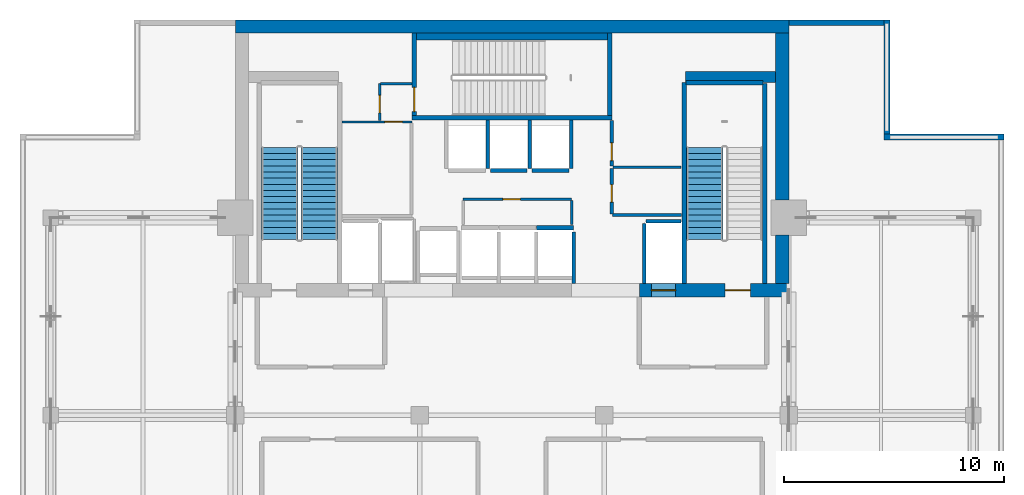
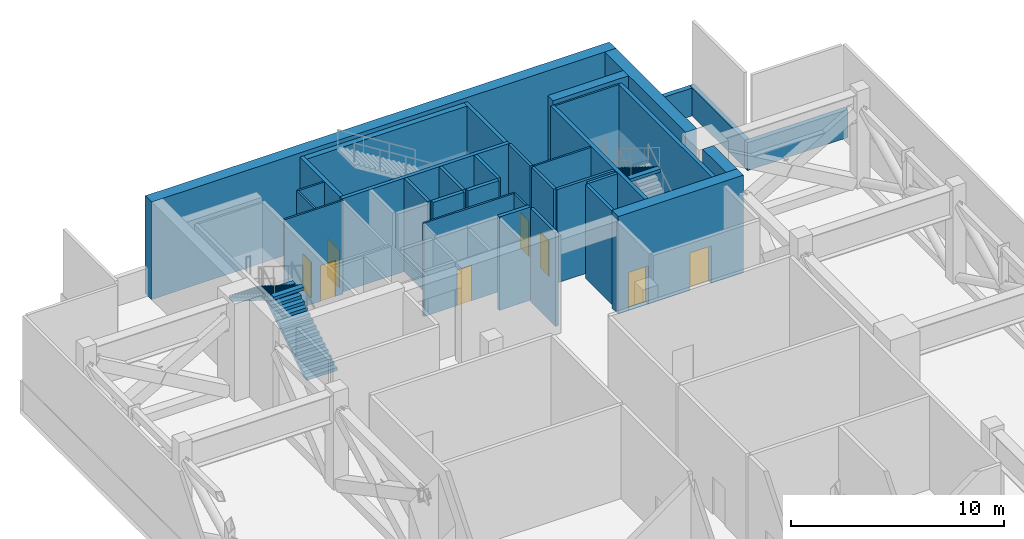
# One storey, part 7 of 11: 33 walls, 8 doors, 3 stair flights, 8 openings, 2 elements without a shape of their own.
"""IFC4 building model written with IfcOpenShell, lengths in metres."""

from ifc_helpers import new_model, si_unit, direction, frame, frame_2d, origin, place, context, subcontext, project, spatial, polyline, rectangle, outline, extrude, material, layer, layer_set, type_object, element, fill, aggregate, save


model = new_model("IFC4")

# Units and contexts
model_context = context("Model", 3, precision=1e-05, world=origin(), true_north=direction((0.0, 1.0)))
body_context = subcontext(model_context, "Body", "Model", "MODEL_VIEW")
ifc_project = project(units=[si_unit("LENGTHUNIT", "METRE"), si_unit("AREAUNIT", "SQUARE_METRE"), si_unit("VOLUMEUNIT", "CUBIC_METRE"), si_unit("PLANEANGLEUNIT", "RADIAN"), si_unit("MASSUNIT", "GRAM", prefix="KILO")], contexts=[model_context])

# Site, building, storey
site_placement = place(None, origin())
site = spatial("IfcSite", under=ifc_project, at=site_placement, CompositionType="ELEMENT")
building_placement = place(site_placement, origin())
building = spatial("IfcBuilding", under=site, at=building_placement, Name="Maruvema Waterfront Hotel and Observation Tower", CompositionType="ELEMENT")
storey_placement = place(building_placement, frame((0.0, 0.0, 316.39990234375)))
storey = spatial("IfcBuildingStorey", under=building, at=storey_placement, Name="L78", CompositionType="ELEMENT", Elevation=316.39990234375)

# Wall, opening, door
ifc_material_1 = material(Name="Twin-stud acoustic gypsum drywall", Category="gypsum")
ifc_layer_1 = layer(ifc_material_1, 0.14990234375, Name="Acoustic Corridor and Suite Demising Wall 150 mm")
ifc_layer_set_1 = layer_set([ifc_layer_1], Name="Twin-stud acoustic gypsum drywall")
wall_type_1 = type_object("IfcWallType", Name="Acoustic Corridor and Suite Demising Wall 150 mm", PredefinedType="PARTITIONING", material=ifc_layer_set_1)
wall_1_placement = place(storey_placement, frame((42.340087890625, 45.159912109375, 0.0), z_axis=(0.0, 0.0, 1.0), x_axis=(0.0, 1.0, 0.0)))
wall_1 = element("IfcWall", 1, at=wall_1_placement, inside=storey, type_object=wall_type_1, Name="L78 Freed B2 West S 018", PredefinedType="PARTITIONING", context=body_context, shape_type="SweptSolid", body=[
    extrude(rectangle(XDim=2.080078125, YDim=0.14990234375, at=frame_2d((1.0400390625, 0.0))), origin(), (0.0, 0.0, 1.0), 5.360107421875),
])
opening_1_placement = place(wall_1_placement, frame((0.550048828125, 0.0, 0.0)))
opening_1 = element("IfcOpeningElement", 2, at=opening_1_placement, cuts=wall_1, Name="Opening DR-080", PredefinedType="OPENING", context=body_context, shape_type="SweptSolid", body=[
    extrude(rectangle(XDim=0.800048828125, YDim=2.050048828125, at=frame_2d((0.39990234375, 1.02490234375))), frame((0.0, 0.0849609375, 0.0), z_axis=(0.0, -1.0, 0.0), x_axis=(1.0, 0.0, 0.0)), (0.0, 0.0, 1.0), 0.169921875),
])
ifc_material_2 = material(Name="Powder-coated steel access leaf", Category="steel")
door_type_1 = type_object("IfcDoorType", Name="Riser and Service Cupboard Door 800x2050 mm", OperationType="NOTDEFINED", PredefinedType="DOOR", material=ifc_material_2)
door_1_placement = place(opening_1_placement, frame((0.800048828125, 0.0, 0.0), z_axis=(0.0, 0.0, 1.0), x_axis=(-1.0, 0.0, 0.0)))
door_1 = element("IfcDoor", 3, at=door_1_placement, inside=storey, type_object=door_type_1, Name="L78 Plant Comms Store Door", OperationType="SINGLE_SWING_RIGHT", OverallHeight=2.050048828125, OverallWidth=0.800048828125, PredefinedType="DOOR", context=body_context, shape_type="SweptSolid", body=[
    extrude(rectangle(XDim=0.800048828125, YDim=2.050048828125, at=frame_2d((0.39990234375, 1.02490234375))), frame((0.0, 0.02490234375, 0.0), z_axis=(0.0, -1.0, 0.0), x_axis=(1.0, 0.0, 0.0)), (0.0, 0.0, 1.0), 0.050048828125),
])
fill(opening_1, door_1)

wall_2_placement = place(storey_placement, frame((42.340087890625, 47.360107421875, 0.0), z_axis=(0.0, 0.0, 1.0), x_axis=(0.0, 1.0, 0.0)))
wall_2 = element("IfcWall", 4, at=wall_2_placement, inside=storey, type_object=wall_type_1, Name="L78 Freed B2 West N 019", PredefinedType="PARTITIONING", context=body_context, shape_type="SweptSolid", body=[
    extrude(rectangle(XDim=2.059814453125, YDim=0.14990234375, at=frame_2d((1.02978515625, 0.0))), origin(), (0.0, 0.0, 1.0), 5.360107421875),
])
opening_2_placement = place(wall_2_placement, frame((0.239990234375, 0.0, 0.0)))
opening_2 = element("IfcOpeningElement", 5, at=opening_2_placement, cuts=wall_2, Name="Opening DR-080", PredefinedType="OPENING", context=body_context, shape_type="SweptSolid", body=[
    extrude(rectangle(XDim=0.800048828125, YDim=2.050048828125, at=frame_2d((0.39990234375, 1.02490234375))), frame((0.0, 0.0849609375, 0.0), z_axis=(0.0, -1.0, 0.0), x_axis=(1.0, 0.0, 0.0)), (0.0, 0.0, 1.0), 0.169921875),
])
door_2_placement = place(opening_2_placement, frame((0.800048828125, 0.0, 0.0), z_axis=(0.0, 0.0, 1.0), x_axis=(-1.0, 0.0, 0.0)))
door_2 = element("IfcDoor", 6, at=door_2_placement, inside=storey, type_object=door_type_1, Name="L78 Plant Meter Closet East Door", OperationType="SINGLE_SWING_LEFT", OverallHeight=2.050048828125, OverallWidth=0.800048828125, PredefinedType="DOOR", context=body_context, shape_type="SweptSolid", body=[
    extrude(rectangle(XDim=0.800048828125, YDim=2.050048828125, at=frame_2d((0.39990234375, 1.02490234375))), frame((0.0, 0.02490234375, 0.0), z_axis=(0.0, -1.0, 0.0), x_axis=(1.0, 0.0, 0.0)), (0.0, 0.0, 1.0), 0.050048828125),
])
fill(opening_2, door_2)

# Walls
wall_3_placement = place(storey_placement, frame((42.3798828125, 45.1201171875, 0.0), z_axis=(0.0, 0.0, 1.0), x_axis=(1.0, 0.0, 0.0)))
element("IfcWall", 7, at=wall_3_placement, inside=storey, type_object=wall_type_1, Name="L78 Freed B2 South Wall 021", PredefinedType="PARTITIONING", context=body_context, shape_type="SweptSolid", body=[
    extrude(rectangle(XDim=3.14013671875, YDim=0.14990234375, at=frame_2d((1.570068359375, 0.0))), origin(), (0.0, 0.0, 1.0), 5.360107421875),
])
ifc_material_3 = material(Name="Precast concrete C45/55", Category="concrete")
ifc_layer_2 = layer(ifc_material_3, 0.300048828125, Name="Core Shaft Furring Wall 300 mm")
ifc_layer_set_2 = layer_set([ifc_layer_2], Name="Precast concrete C45/55")
wall_type_2 = type_object("IfcWallType", Name="Core Shaft Furring Wall 300 mm", PredefinedType="SOLIDWALL", material=ifc_layer_set_2)
wall_4_placement = place(storey_placement, frame((33.449951171875, 53.25, 0.0), z_axis=(0.0, 0.0, 1.0), x_axis=(1.0, 0.0, 0.0)))
element("IfcWall", 8, at=wall_4_placement, inside=storey, type_object=wall_type_2, Name="L78 Stairwell ST-02 North Furring Wall", PredefinedType="SOLIDWALL", context=body_context, shape_type="SweptSolid", body=[
    extrude(rectangle(XDim=8.699951171875, YDim=0.300048828125, at=frame_2d((4.35009765625, 0.0))), origin(), (0.0, 0.0, 1.0), 5.360107421875),
])
ifc_material_4 = material(Name="Precast concrete C45/55", Category="concrete")
ifc_layer_3 = layer(ifc_material_4, 0.199951171875, Name="Core Shaft and Stairwell Enclosure Wall 200 mm")
ifc_layer_set_3 = layer_set([ifc_layer_3], Name="Precast concrete C45/55")
wall_type_3 = type_object("IfcWallType", Name="Core Shaft and Stairwell Enclosure Wall 200 mm", PredefinedType="SOLIDWALL", material=ifc_layer_set_3)
wall_5_placement = place(storey_placement, frame((33.25, 49.550048828125, 0.0), z_axis=(0.0, 0.0, 1.0), x_axis=(1.0, 0.0, 0.0)))
element("IfcWall", 9, at=wall_5_placement, inside=storey, type_object=wall_type_3, Name="L78 Stairwell ST-02 Shaft Wall", PredefinedType="SOLIDWALL", context=body_context, shape_type="SweptSolid", body=[
    extrude(rectangle(XDim=9.10009765625, YDim=0.199951171875, at=frame_2d((4.550048828125, 0.0))), origin(), (0.0, 0.0, 1.0), 5.360107421875),
])
wall_6_placement = place(storey_placement, frame((42.25, 49.64990234375, 0.0), z_axis=(0.0, 0.0, 1.0), x_axis=(0.0, 1.0, 0.0)))
element("IfcWall", 10, at=wall_6_placement, inside=storey, type_object=wall_type_3, Name="L78 Stairwell ST-02 Shaft Wall", PredefinedType="SOLIDWALL", context=body_context, shape_type="SweptSolid", body=[
    extrude(rectangle(XDim=3.75, YDim=0.199951171875, at=frame_2d((1.875, 0.0))), origin(), (0.0, 0.0, 1.0), 5.360107421875),
])

# Wall, opening, door
wall_7_placement = place(storey_placement, frame((33.35009765625, 49.64990234375, 0.0), z_axis=(0.0, 0.0, 1.0), x_axis=(0.0, 1.0, 0.0)))
wall_7 = element("IfcWall", 11, at=wall_7_placement, inside=storey, type_object=wall_type_3, Name="L78 Stairwell ST-02 Shaft Wall", PredefinedType="SOLIDWALL", context=body_context, shape_type="SweptSolid", body=[
    extrude(rectangle(XDim=3.75, YDim=0.199951171875, at=frame_2d((1.875, 0.0))), origin(), (0.0, 0.0, 1.0), 5.360107421875),
])
opening_3_placement = place(wall_7_placement, frame((0.179931640625, 0.0, 0.0)))
opening_3 = element("IfcOpeningElement", 12, at=opening_3_placement, cuts=wall_7, Name="Opening SD-02", PredefinedType="OPENING", context=body_context, shape_type="SweptSolid", body=[
    extrude(rectangle(XDim=1.10009765625, YDim=2.14990234375, at=frame_2d((0.550048828125, 1.074951171875))), frame((0.0, 0.10986328125, 0.0), z_axis=(0.0, -1.0, 0.0), x_axis=(1.0, 0.0, 0.0)), (0.0, 0.0, 1.0), 0.219970703125),
])
ifc_material_5 = material(Name="Fire-rated galvanised steel leaf", Category="steel")
door_type_2 = type_object("IfcDoorType", Name="Central Exit Stair Fire Door 1100x2150 mm", OperationType="NOTDEFINED", PredefinedType="DOOR", material=ifc_material_5)
door_3_placement = place(opening_3_placement, frame((1.10009765625, 0.0, 0.0), z_axis=(0.0, 0.0, 1.0), x_axis=(-1.0, 0.0, 0.0)))
door_3 = element("IfcDoor", 13, at=door_3_placement, inside=storey, type_object=door_type_2, Name="L78 Exit Stair ST-02 Fire Door", OperationType="SINGLE_SWING_LEFT", OverallHeight=2.14990234375, OverallWidth=1.10009765625, PredefinedType="DOOR", context=body_context, shape_type="SweptSolid", body=[
    extrude(rectangle(XDim=1.10009765625, YDim=2.14990234375, at=frame_2d((0.550048828125, 1.074951171875))), frame((0.0, 0.02490234375, 0.0), z_axis=(0.0, -1.0, 0.0), x_axis=(1.0, 0.0, 0.0)), (0.0, 0.0, 1.0), 0.050048828125),
])
fill(opening_3, door_3)

# Walls
wall_8_placement = place(storey_placement, frame((45.64990234375, 42.0, 0.0), z_axis=(0.0, 0.0, 1.0), x_axis=(0.0, 1.0, 0.0)))
element("IfcWall", 14, at=wall_8_placement, inside=storey, type_object=wall_type_3, Name="L78 Stairwell ST-03 West Shaft Wall", PredefinedType="SOLIDWALL", context=body_context, shape_type="SweptSolid", body=[
    extrude(rectangle(XDim=9.14990234375, YDim=0.199951171875, at=frame_2d((4.574951171875, 0.0))), origin(), (0.0, 0.0, 1.0), 5.360107421875),
])
wall_9_placement = place(storey_placement, frame((49.300048828125, 42.0, 0.0), z_axis=(0.0, 0.0, 1.0), x_axis=(0.0, 1.0, 0.0)))
element("IfcWall", 15, at=wall_9_placement, inside=storey, type_object=wall_type_3, Name="L78 Stairwell ST-03 Shaft Lining Wall", PredefinedType="SOLIDWALL", context=body_context, shape_type="SweptSolid", body=[
    extrude(rectangle(XDim=9.1201171875, YDim=0.199951171875, at=frame_2d((4.56005859375, 0.0))), origin(), (0.0, 0.0, 1.0), 5.360107421875),
])
wall_10_placement = place(storey_placement, frame((45.719970703125, 51.14990234375, 0.0), z_axis=(0.0, 0.0, 1.0), x_axis=(1.0, 0.0, 0.0)))
element("IfcWall", 16, at=wall_10_placement, inside=storey, type_object=wall_type_3, Name="L78 Stairwell ST-03 Shaft Lining Wall", PredefinedType="SOLIDWALL", context=body_context, shape_type="SweptSolid", body=[
    extrude(rectangle(XDim=3.5, YDim=0.199951171875, at=frame_2d((1.75, 0.0))), origin(), (0.0, 0.0, 1.0), 5.360107421875),
])
wall_11_placement = place(storey_placement, frame((38.909912109375, 44.550048828125, 0.0), z_axis=(0.0, 0.0, 1.0), x_axis=(1.0, 0.0, 0.0)))
element("IfcWall", 17, at=wall_11_placement, inside=storey, type_object=wall_type_3, Name="L78 Lift LF-11 Hoistway Front Wall", PredefinedType="SOLIDWALL", context=body_context, shape_type="SweptSolid", body=[
    extrude(rectangle(XDim=1.68017578125, YDim=0.199951171875, at=frame_2d((0.840087890625, 0.0))), origin(), (0.0, 0.0, 1.0), 5.360107421875),
])
for number, where, z_axis, x_axis, name in (
    (18, (36.81005859375, 47.14990234375, 0.0), (0.0, 0.0, 1.0), (1.0, 0.0, 0.0), "L78 Lift LF-13 Hoistway Front Wall"),
    (19, (38.7099609375, 47.14990234375, 0.0), (0.0, 0.0, 1.0), (1.0, 0.0, 0.0), "L78 Lift LF-14 Hoistway Front Wall"),
):
    element("IfcWall", number, at=place(storey_placement, frame(where, z_axis=z_axis, x_axis=x_axis)), inside=storey, type_object=wall_type_3, Name=name, PredefinedType="SOLIDWALL", context=body_context, shape_type="SweptSolid", body=[
        extrude(rectangle(XDim=1.679931640625, YDim=0.199951171875, at=frame_2d((0.83984375, 0.0))), origin(), (0.0, 0.0, 1.0), 5.360107421875),
    ])
ifc_material_6 = material(Name="Concrete C70/85", Category="concrete")
ifc_layer_4 = layer(ifc_material_6, 0.5, Name="Core Shear Wall 500 mm")
ifc_layer_set_4 = layer_set([ifc_layer_4], Name="Concrete C70/85")
wall_type_4 = type_object("IfcWallType", Name="Core Shear Wall 500 mm", PredefinedType="SHEAR", material=ifc_layer_set_4)
wall_12_placement = place(storey_placement, frame((45.699951171875, 51.39990234375, 0.0), z_axis=(0.0, 0.0, 1.0), x_axis=(1.0, 0.0, 0.0)))
element("IfcWall", 20, at=wall_12_placement, inside=storey, type_object=wall_type_4, Name="L78 Internal Core Shear Wall NE 500 mm", PredefinedType="SHEAR", context=body_context, shape_type="SweptSolid", body=[
    extrude(rectangle(XDim=4.10009765625, YDim=0.5, at=frame_2d((2.050048828125, 0.0))), origin(), (0.0, 0.0, 1.0), 5.60009765625),
])
ifc_material_7 = material(Name="Concrete C60/75", Category="concrete")
ifc_layer_5 = layer(ifc_material_7, 0.60009765625, Name="Core Shear Wall 600 mm")
ifc_layer_set_5 = layer_set([ifc_layer_5], Name="Concrete C60/75")
wall_type_5 = type_object("IfcWallType", Name="Core Shear Wall 600 mm", PredefinedType="SHEAR", material=ifc_layer_set_5)
wall_13_placement = place(storey_placement, frame((25.199951171875, 53.699951171875, 0.0), z_axis=(0.0, 0.0, 1.0), x_axis=(1.0, 0.0, 0.0)))
element("IfcWall", 21, at=wall_13_placement, inside=storey, type_object=wall_type_5, Name="L78 North Core Shear Wall", PredefinedType="SHEAR", context=body_context, shape_type="SweptSolid", body=[
    extrude(rectangle(XDim=25.199951171875, YDim=0.60009765625, at=frame_2d((12.60009765625, 0.0))), origin(), (0.0, 0.0, 1.0), 5.60009765625),
])

# Wall, openings, doors
wall_14_placement = place(storey_placement, frame((43.60009765625, 41.699951171875, 0.0), z_axis=(0.0, 0.0, 1.0), x_axis=(1.0, 0.0, 0.0)))
wall_14 = element("IfcWall", 22, at=wall_14_placement, inside=storey, type_object=wall_type_5, Name="L78 South-East Core Shear Wall", PredefinedType="SHEAR", context=body_context, shape_type="SweptSolid", body=[
    extrude(rectangle(XDim=6.7998046875, YDim=0.60009765625, at=frame_2d((3.39990234375, 0.0))), origin(), (0.0, 0.0, 1.0), 5.60009765625),
])
opening_4_placement = place(wall_14_placement, frame((3.89990234375, 0.0, 0.0)))
opening_4 = element("IfcOpeningElement", 23, at=opening_4_placement, cuts=wall_14, Name="Opening SD-01", PredefinedType="OPENING", context=body_context, shape_type="SweptSolid", body=[
    extrude(rectangle(XDim=1.14990234375, YDim=2.14990234375, at=frame_2d((0.574951171875, 1.074951171875))), frame((0.0, 0.31005859375, 0.0), z_axis=(0.0, -1.0, 0.0), x_axis=(1.0, 0.0, 0.0)), (0.0, 0.0, 1.0), 0.6201171875),
])
opening_5_placement = place(wall_14_placement, frame((0.550048828125, 0.0, 0.0)))
opening_5 = element("IfcOpeningElement", 24, at=opening_5_placement, cuts=wall_14, Name="Opening LD-03", PredefinedType="OPENING", context=body_context, shape_type="SweptSolid", body=[
    extrude(rectangle(XDim=1.10009765625, YDim=2.199951171875, at=frame_2d((0.550048828125, 1.10009765625))), frame((0.0, 0.31005859375, 0.0), z_axis=(0.0, -1.0, 0.0), x_axis=(1.0, 0.0, 0.0)), (0.0, 0.0, 1.0), 0.6201171875),
])
ifc_material_8 = material(Name="Fire-rated galvanised steel leaf", Category="steel")
door_type_3 = type_object("IfcDoorType", Name="Exit Stair Fire Door 1150x2150 mm", OperationType="NOTDEFINED", PredefinedType="DOOR", material=ifc_material_8)
door_4_placement = place(opening_4_placement, origin())
door_4 = element("IfcDoor", 25, at=door_4_placement, inside=storey, type_object=door_type_3, Name="L78 Exit Stair ST-03 Fire Door", OperationType="SINGLE_SWING_RIGHT", OverallHeight=2.14990234375, OverallWidth=1.14990234375, PredefinedType="DOOR", context=body_context, shape_type="SweptSolid", body=[
    extrude(rectangle(XDim=1.14990234375, YDim=2.14990234375, at=frame_2d((0.574951171875, 1.074951171875))), frame((0.0, 0.02490234375, 0.0), z_axis=(0.0, -1.0, 0.0), x_axis=(1.0, 0.0, 0.0)), (0.0, 0.0, 1.0), 0.050048828125),
])
fill(opening_4, door_4)
ifc_material_9 = material(Name="Brushed stainless steel Grade 316", Category="steel")
door_type_4 = type_object("IfcDoorType", Name="Firefighting Lift Sliding Landing Door 1100x2200 mm", OperationType="SLIDING_TO_LEFT", PredefinedType="DOOR", material=ifc_material_9)
door_5_placement = place(opening_5_placement, frame((1.10009765625, 0.0, 0.0), z_axis=(0.0, 0.0, 1.0), x_axis=(-1.0, 0.0, 0.0)))
door_5 = element("IfcDoor", 26, at=door_5_placement, inside=storey, type_object=door_type_4, Name="L78 Firefighting Lift FL-02 Landing Door", OperationType="SLIDING_TO_LEFT", OverallHeight=2.199951171875, OverallWidth=1.10009765625, PredefinedType="DOOR", context=body_context, shape_type="SweptSolid", body=[
    extrude(rectangle(XDim=1.10009765625, YDim=2.199951171875, at=frame_2d((0.550048828125, 1.10009765625))), frame((0.0, 0.02490234375, 0.0), z_axis=(0.0, -1.0, 0.0), x_axis=(1.0, 0.0, 0.0)), (0.0, 0.0, 1.0), 0.050048828125),
])
fill(opening_5, door_5)

# Walls
wall_15_placement = place(storey_placement, frame((50.10009765625, 42.0, 0.0), z_axis=(0.0, 0.0, 1.0), x_axis=(0.0, 1.0, 0.0)))
element("IfcWall", 27, at=wall_15_placement, inside=storey, type_object=wall_type_5, Name="L78 East-South Core Shear Wall", PredefinedType="SHEAR", context=body_context, shape_type="SweptSolid", body=[
    extrude(rectangle(XDim=2.199951171875, YDim=0.60009765625, at=frame_2d((1.10009765625, 0.0))), origin(), (0.0, 0.0, 1.0), 5.60009765625),
])
wall_16_placement = place(storey_placement, frame((50.10009765625, 45.800048828125, 0.0), z_axis=(0.0, 0.0, 1.0), x_axis=(0.0, 1.0, 0.0)))
element("IfcWall", 28, at=wall_16_placement, inside=storey, type_object=wall_type_5, Name="L78 East-North Core Shear Wall", PredefinedType="SHEAR", context=body_context, shape_type="SweptSolid", body=[
    extrude(rectangle(XDim=7.599853515625, YDim=0.60009765625, at=frame_2d((3.7998046875, 0.0))), origin(), (0.0, 0.0, 1.0), 5.60009765625),
])

# Wall, opening, door
ifc_material_10 = material(Name="Moisture-resistant cement-board drywall", Category="gypsum")
ifc_layer_6 = layer(ifc_material_10, 0.10009765625, Name="En-Suite Moisture-Resistant Partition 100 mm")
ifc_layer_set_6 = layer_set([ifc_layer_6], Name="Moisture-resistant cement-board drywall")
wall_type_6 = type_object("IfcWallType", Name="En-Suite Moisture-Resistant Partition 100 mm", PredefinedType="PARTITIONING", material=ifc_layer_set_6)
wall_17_placement = place(storey_placement, frame((35.580078125, 45.840087890625, 0.0), z_axis=(0.0, 0.0, 1.0), x_axis=(1.0, 0.0, 0.0)))
wall_17 = element("IfcWall", 29, at=wall_17_placement, inside=storey, type_object=wall_type_6, Name="L78 Core Closet K0 North 010", PredefinedType="PARTITIONING", context=body_context, shape_type="SweptSolid", body=[
    extrude(rectangle(XDim=4.93994140625, YDim=0.10009765625, at=frame_2d((2.469970703125, 0.0))), origin(), (0.0, 0.0, 1.0), 5.360107421875),
])
opening_6_placement = place(wall_17_placement, frame((1.800048828125, 0.0, 0.0)))
opening_6 = element("IfcOpeningElement", 30, at=opening_6_placement, cuts=wall_17, Name="Opening DR-080", PredefinedType="OPENING", context=body_context, shape_type="SweptSolid", body=[
    extrude(rectangle(XDim=0.800048828125, YDim=2.050048828125, at=frame_2d((0.39990234375, 1.02490234375))), frame((0.0, 0.06005859375, 0.0), z_axis=(0.0, -1.0, 0.0), x_axis=(1.0, 0.0, 0.0)), (0.0, 0.0, 1.0), 0.1201171875),
])
door_6_placement = place(opening_6_placement, origin())
door_6 = element("IfcDoor", 31, at=door_6_placement, inside=storey, type_object=door_type_1, Name="L78 Plant Electrical Closet Door", OperationType="SINGLE_SWING_LEFT", OverallHeight=2.050048828125, OverallWidth=0.800048828125, PredefinedType="DOOR", context=body_context, shape_type="SweptSolid", body=[
    extrude(rectangle(XDim=0.800048828125, YDim=2.050048828125, at=frame_2d((0.39990234375, 1.02490234375))), frame((0.0, 0.02490234375, 0.0), z_axis=(0.0, -1.0, 0.0), x_axis=(1.0, 0.0, 0.0)), (0.0, 0.0, 1.0), 0.050048828125),
])
fill(opening_6, door_6)

# Wall
wall_18_placement = place(storey_placement, frame((40.52001953125, 44.699951171875, 0.0), z_axis=(0.0, 0.0, 1.0), x_axis=(0.0, 1.0, 0.0)))
element("IfcWall", 32, at=wall_18_placement, inside=storey, type_object=wall_type_6, Name="L78 Core Closet K0 East 012", PredefinedType="PARTITIONING", context=body_context, shape_type="SweptSolid", body=[
    extrude(rectangle(XDim=1.080078125, YDim=0.10009765625, at=frame_2d((0.5400390625, 0.0))), origin(), (0.0, 0.0, 1.0), 5.360107421875),
])

# Wall, opening, door
wall_19_placement = place(storey_placement, frame((30.06005859375, 49.360107421875, 0.0), z_axis=(0.0, 0.0, 1.0), x_axis=(1.0, 0.0, 0.0)))
wall_19 = element("IfcWall", 33, at=wall_19_placement, inside=storey, type_object=wall_type_6, Name="L78 Freed B1 Mid Wall 015", PredefinedType="PARTITIONING", context=body_context, shape_type="SweptSolid", body=[
    extrude(rectangle(XDim=3.179931640625, YDim=0.10009765625, at=frame_2d((1.58984375, 0.0))), origin(), (0.0, 0.0, 1.0), 5.360107421875),
])
opening_7_placement = place(wall_19_placement, frame((1.949951171875, 0.0, 0.0)))
opening_7 = element("IfcOpeningElement", 34, at=opening_7_placement, cuts=wall_19, Name="Opening DR-080", PredefinedType="OPENING", context=body_context, shape_type="SweptSolid", body=[
    extrude(rectangle(XDim=0.800048828125, YDim=2.050048828125, at=frame_2d((0.39990234375, 1.02490234375))), frame((0.0, 0.06005859375, 0.0), z_axis=(0.0, -1.0, 0.0), x_axis=(1.0, 0.0, 0.0)), (0.0, 0.0, 1.0), 0.1201171875),
])
door_7_placement = place(opening_7_placement, origin())
door_7 = element("IfcDoor", 35, at=door_7_placement, inside=storey, type_object=door_type_1, Name="L78 Plant Equipment Store West Door", OperationType="SINGLE_SWING_RIGHT", OverallHeight=2.050048828125, OverallWidth=0.800048828125, PredefinedType="DOOR", context=body_context, shape_type="SweptSolid", body=[
    extrude(rectangle(XDim=0.800048828125, YDim=2.050048828125, at=frame_2d((0.39990234375, 1.02490234375))), frame((0.0, 0.02490234375, 0.0), z_axis=(0.0, -1.0, 0.0), x_axis=(1.0, 0.0, 0.0)), (0.0, 0.0, 1.0), 0.050048828125),
])
fill(opening_7, door_7)

wall_20_placement = place(storey_placement, frame((31.780029296875, 49.419921875, 0.0), z_axis=(0.0, 0.0, 1.0), x_axis=(0.0, 1.0, 0.0)))
wall_20 = element("IfcWall", 36, at=wall_20_placement, inside=storey, type_object=wall_type_6, Name="L78 Freed B1 NW East Wall 016", PredefinedType="PARTITIONING", context=body_context, shape_type="SweptSolid", body=[
    extrude(rectangle(XDim=1.68017578125, YDim=0.10009765625, at=frame_2d((0.840087890625, 0.0))), origin(), (0.0, 0.0, 1.0), 5.360107421875),
])
opening_8_placement = place(wall_20_placement, frame((0.35009765625, 0.0, 0.0)))
opening_8 = element("IfcOpeningElement", 37, at=opening_8_placement, cuts=wall_20, Name="Opening DR-080", PredefinedType="OPENING", context=body_context, shape_type="SweptSolid", body=[
    extrude(rectangle(XDim=0.800048828125, YDim=2.050048828125, at=frame_2d((0.39990234375, 1.02490234375))), frame((0.0, 0.06005859375, 0.0), z_axis=(0.0, -1.0, 0.0), x_axis=(1.0, 0.0, 0.0)), (0.0, 0.0, 1.0), 0.1201171875),
])
door_8_placement = place(opening_8_placement, origin())
door_8 = element("IfcDoor", 38, at=door_8_placement, inside=storey, type_object=door_type_1, Name="L78 Plant Electrical Closet West Door", OperationType="SINGLE_SWING_LEFT", OverallHeight=2.050048828125, OverallWidth=0.800048828125, PredefinedType="DOOR", context=body_context, shape_type="SweptSolid", body=[
    extrude(rectangle(XDim=0.800048828125, YDim=2.050048828125, at=frame_2d((0.39990234375, 1.02490234375))), frame((0.0, 0.02490234375, 0.0), z_axis=(0.0, -1.0, 0.0), x_axis=(1.0, 0.0, 0.0)), (0.0, 0.0, 1.0), 0.050048828125),
])
fill(opening_8, door_8)

# Walls
wall_21_placement = place(storey_placement, frame((31.820068359375, 51.10009765625, 0.0), z_axis=(0.0, 0.0, 1.0), x_axis=(1.0, 0.0, 0.0)))
element("IfcWall", 39, at=wall_21_placement, inside=storey, type_object=wall_type_6, Name="L78 Freed B1 Vestibule North Wall 017", PredefinedType="PARTITIONING", context=body_context, shape_type="SweptSolid", body=[
    extrude(rectangle(XDim=1.419921875, YDim=0.10009765625, at=frame_2d((0.7099609375, 0.0))), origin(), (0.0, 0.0, 1.0), 5.360107421875),
])
wall_22_placement = place(storey_placement, frame((42.39990234375, 47.300048828125, 0.0), z_axis=(0.0, 0.0, 1.0), x_axis=(1.0, 0.0, 0.0)))
element("IfcWall", 40, at=wall_22_placement, inside=storey, type_object=wall_type_6, Name="L78 Freed B2 Split 020", PredefinedType="PARTITIONING", context=body_context, shape_type="SweptSolid", body=[
    extrude(rectangle(XDim=3.10009765625, YDim=0.10009765625, at=frame_2d((1.550048828125, 0.0))), origin(), (0.0, 0.0, 1.0), 5.360107421875),
])
ifc_material_11 = material(Name="Precast concrete C45/55 with honed Pernambuco granite facing", Category="masonry")
ifc_layer_7 = layer(ifc_material_11, 0.260009765625, Name="Exterior Granite Clad Spandrel and Pier Wall 260 mm")
ifc_layer_set_7 = layer_set([ifc_layer_7], Name="Precast concrete C45/55 with honed Pernambuco granite facing")
wall_type_7 = type_object("IfcWallType", Name="Exterior Granite Clad Spandrel and Pier Wall 260 mm", PredefinedType="SOLIDWALL", material=ifc_layer_set_7)
wall_23_placement = place(storey_placement, frame((60.199951171875, 48.669921875, 0.0), z_axis=(0.0, 0.0, 1.0), x_axis=(-1.0, 0.0, 0.0)))
element("IfcWall", 41, at=wall_23_placement, inside=storey, type_object=wall_type_7, Name="L78 Mechanical Perimeter Spandrel Wall 05", PredefinedType="SOLIDWALL", context=body_context, shape_type="SweptSolid", body=[
    extrude(rectangle(XDim=5.4599609375, YDim=0.260009765625, at=frame_2d((2.72998046875, 0.0))), origin(), (0.0, 0.0, 1.0), 1.60009765625),
])
wall_24_placement = place(storey_placement, frame((54.8701171875, 48.800048828125, 0.0), z_axis=(0.0, 0.0, 1.0), x_axis=(0.0, 1.0, 0.0)))
element("IfcWall", 42, at=wall_24_placement, inside=storey, type_object=wall_type_7, Name="L78 Mechanical Perimeter Spandrel Wall 06", PredefinedType="SOLIDWALL", context=body_context, shape_type="SweptSolid", body=[
    extrude(rectangle(XDim=5.199951171875, YDim=0.260009765625, at=frame_2d((2.60009765625, 0.0))), origin(), (0.0, 0.0, 1.0), 1.60009765625),
])
wall_25_placement = place(storey_placement, frame((54.739990234375, 53.8701171875, 0.0), z_axis=(0.0, 0.0, 1.0), x_axis=(-1.0, 0.0, 0.0)))
element("IfcWall", 43, at=wall_25_placement, inside=storey, type_object=wall_type_7, Name="L78 Mechanical North-East Spandrel Wall", PredefinedType="SOLIDWALL", context=body_context, shape_type="SweptSolid", body=[
    extrude(rectangle(XDim=4.340087890625, YDim=0.260009765625, at=frame_2d((2.169921875, 0.0))), origin(), (0.0, 0.0, 1.0), 1.60009765625),
])
ifc_material_12 = material(Name="Precast concrete C45/55", Category="concrete")
ifc_layer_8 = layer(ifc_material_12, 0.159912109375, Name="Lift Hoistway Divider Wall 160 mm")
ifc_layer_set_8 = layer_set([ifc_layer_8], Name="Precast concrete C45/55")
wall_type_8 = type_object("IfcWallType", Name="Lift Hoistway Divider Wall 160 mm", PredefinedType="SOLIDWALL", material=ifc_layer_set_8)
wall_26_placement = place(storey_placement, frame((43.89990234375, 44.830078125, 0.0), z_axis=(0.0, 0.0, 1.0), x_axis=(1.0, 0.0, 0.0)))
element("IfcWall", 44, at=wall_26_placement, inside=storey, type_object=wall_type_8, Name="L78 Lift FL-02 Rear Hoistway Wall", PredefinedType="SOLIDWALL", context=body_context, shape_type="SweptSolid", body=[
    extrude(rectangle(XDim=1.60009765625, YDim=0.159912109375, at=frame_2d((0.800048828125, 0.0))), origin(), (0.0, 0.0, 1.0), 5.360107421875),
])
wall_27_placement = place(storey_placement, frame((43.820068359375, 42.0, 0.0), z_axis=(0.0, 0.0, 1.0), x_axis=(0.0, 1.0, 0.0)))
element("IfcWall", 45, at=wall_27_placement, inside=storey, type_object=wall_type_8, Name="L78 Lift FL-02 Inner Hoistway Wall", PredefinedType="SOLIDWALL", context=body_context, shape_type="SweptSolid", body=[
    extrude(rectangle(XDim=2.739990234375, YDim=0.159912109375, at=frame_2d((1.3701171875, 0.0))), origin(), (0.0, 0.0, 1.0), 5.360107421875),
])
wall_28_placement = place(storey_placement, frame((40.6201171875, 42.0, 0.0), z_axis=(0.0, 0.0, 1.0), x_axis=(0.0, 1.0, 0.0)))
element("IfcWall", 46, at=wall_28_placement, inside=storey, type_object=wall_type_8, Name="L78 Hoistway Divider Wall", PredefinedType="SOLIDWALL", context=body_context, shape_type="SweptSolid", body=[
    extrude(rectangle(XDim=2.35009765625, YDim=0.159912109375, at=frame_2d((1.175048828125, 0.0))), origin(), (0.0, 0.0, 1.0), 5.360107421875),
])
for number, where, z_axis, x_axis, name in (
    (47, (36.699951171875, 47.25, 0.0), (0.0, 0.0, 1.0), (0.0, 1.0, 0.0), "L78 Hoistway Divider Wall"),
    (48, (38.60009765625, 47.25, 0.0), (0.0, 0.0, 1.0), (0.0, 1.0, 0.0), "L78 Hoistway Divider Wall"),
    (49, (40.5, 47.25, 0.0), (0.0, 0.0, 1.0), (0.0, 1.0, 0.0), "L78 Hoistway Divider Wall"),
):
    element("IfcWall", number, at=place(storey_placement, frame(where, z_axis=z_axis, x_axis=x_axis)), inside=storey, type_object=wall_type_8, Name=name, PredefinedType="SOLIDWALL", context=body_context, shape_type="SweptSolid", body=[
        extrude(rectangle(XDim=2.18994140625, YDim=0.159912109375, at=frame_2d((1.094970703125, 0.0))), origin(), (0.0, 0.0, 1.0), 5.360107421875),
    ])

# Stair, stair flights
ifc_material_13 = material(Name="Concrete C50/60", Category="concrete")
stair_type = type_object("IfcStairType", Name="Dogleg Exit Stair 1650 mm (32R x 175.0 mm)", PredefinedType="HALF_TURN_STAIR", material=ifc_material_13)
stair_1_placement = place(storey_placement, origin())
stair_1 = element("IfcStair", 50, at=stair_1_placement, inside=storey, type_object=stair_type, Name="L78 ST-01", PredefinedType="HALF_TURN_STAIR")
ifc_material_14 = material(Name="Concrete C50/60", Category="concrete")
stair_flight_type = type_object("IfcStairFlightType", Name="Reinforced Concrete Stair Flight 1650 mm (16R x 175.0 mm)", PredefinedType="STRAIGHT", material=ifc_material_14)
stair_flight_1_placement = place(storey_placement, frame((29.02490234375, 44.0, 0.0), z_axis=(0.0, 0.0, 1.0), x_axis=(0.0, 1.0, 0.0)))
stair_flight_1 = element("IfcStairFlight", 51, at=stair_flight_1_placement, type_object=stair_flight_type, Name="ST-01 flight 1", NumberOfRisers=16, NumberOfTreads=15, PredefinedType="STRAIGHT", RiserHeight=0.175, TreadLength=0.28, context=body_context, shape_type="SweptSolid", body=[
    extrude(outline(polyline([(0.0, 0.0), (0.0, 0.175048828125), (0.280029296875, 0.175048828125), (0.280029296875, 0.35009765625), (0.56005859375, 0.35009765625), (0.56005859375, 0.52490234375), (0.840087890625, 0.52490234375), (0.840087890625, 0.699951171875), (1.1201171875, 0.699951171875), (1.1201171875, 0.875), (1.39990234375, 0.875), (1.39990234375, 1.050048828125), (1.679931640625, 1.050048828125), (1.679931640625, 1.22509765625), (1.9599609375, 1.22509765625), (1.9599609375, 1.39990234375), (2.239990234375, 1.39990234375), (2.239990234375, 1.574951171875), (2.52001953125, 1.574951171875), (2.52001953125, 1.75), (2.800048828125, 1.75), (2.800048828125, 1.925048828125), (3.080078125, 1.925048828125), (3.080078125, 2.10009765625), (3.360107421875, 2.10009765625), (3.360107421875, 2.27490234375), (3.639892578125, 2.27490234375), (3.639892578125, 2.449951171875), (3.919921875, 2.449951171875), (3.919921875, 2.625), (4.199951171875, 2.625), (4.199951171875, 2.800048828125), (4.199951171875, 2.4482421875), (0.28271484375, 0.0), (0.0, 0.0)])), frame((0.0, 0.824951171875, 0.0), z_axis=(0.0, -1.0, 0.0), x_axis=(1.0, 0.0, 0.0)), (0.0, 0.0, 1.0), 1.64990234375),
])
stair_flight_2_placement = place(storey_placement, frame((27.22509765625, 48.199951171875, 2.800048828125), z_axis=(0.0, 0.0, 1.0), x_axis=(0.0, -1.0, 0.0)))
stair_flight_2 = element("IfcStairFlight", 52, at=stair_flight_2_placement, type_object=stair_flight_type, Name="ST-01 flight 2", NumberOfRisers=16, NumberOfTreads=15, PredefinedType="STRAIGHT", RiserHeight=0.175, TreadLength=0.28, context=body_context, shape_type="SweptSolid", body=[
    extrude(outline(polyline([(0.0, 0.0), (0.0, 0.175048828125), (0.280029296875, 0.175048828125), (0.280029296875, 0.35009765625), (0.56005859375, 0.35009765625), (0.56005859375, 0.52490234375), (0.840087890625, 0.52490234375), (0.840087890625, 0.699951171875), (1.1201171875, 0.699951171875), (1.1201171875, 0.875), (1.39990234375, 0.875), (1.39990234375, 1.050048828125), (1.679931640625, 1.050048828125), (1.679931640625, 1.22509765625), (1.9599609375, 1.22509765625), (1.9599609375, 1.39990234375), (2.239990234375, 1.39990234375), (2.239990234375, 1.574951171875), (2.52001953125, 1.574951171875), (2.52001953125, 1.75), (2.800048828125, 1.75), (2.800048828125, 1.925048828125), (3.080078125, 1.925048828125), (3.080078125, 2.10009765625), (3.360107421875, 2.10009765625), (3.360107421875, 2.27490234375), (3.639892578125, 2.27490234375), (3.639892578125, 2.449951171875), (3.919921875, 2.449951171875), (3.919921875, 2.625), (4.199951171875, 2.625), (4.199951171875, 2.800048828125), (4.199951171875, 2.4482421875), (0.28271484375, 0.0), (0.0, 0.0)])), frame((0.0, 0.824951171875, 0.0), z_axis=(0.0, -1.0, 0.0), x_axis=(1.0, 0.0, 0.0)), (0.0, 0.0, 1.0), 1.64990234375),
])
aggregate(stair_1, [stair_flight_1, stair_flight_2])

# Stair, stair flight
stair_2_placement = place(storey_placement, origin())
stair_2 = element("IfcStair", 53, at=stair_2_placement, inside=storey, type_object=stair_type, Name="L78 ST-03", PredefinedType="HALF_TURN_STAIR")
stair_flight_3_placement = place(storey_placement, frame((46.574951171875, 48.199951171875, 2.800048828125), z_axis=(0.0, 0.0, 1.0), x_axis=(0.0, -1.0, 0.0)))
stair_flight_3 = element("IfcStairFlight", 54, at=stair_flight_3_placement, type_object=stair_flight_type, Name="ST-03 flight 2", NumberOfRisers=16, NumberOfTreads=15, PredefinedType="STRAIGHT", RiserHeight=0.175, TreadLength=0.28, context=body_context, shape_type="SweptSolid", body=[
    extrude(outline(polyline([(0.0, 0.0), (0.0, 0.175048828125), (0.280029296875, 0.175048828125), (0.280029296875, 0.35009765625), (0.56005859375, 0.35009765625), (0.56005859375, 0.52490234375), (0.840087890625, 0.52490234375), (0.840087890625, 0.699951171875), (1.1201171875, 0.699951171875), (1.1201171875, 0.875), (1.39990234375, 0.875), (1.39990234375, 1.050048828125), (1.679931640625, 1.050048828125), (1.679931640625, 1.22509765625), (1.9599609375, 1.22509765625), (1.9599609375, 1.39990234375), (2.239990234375, 1.39990234375), (2.239990234375, 1.574951171875), (2.52001953125, 1.574951171875), (2.52001953125, 1.75), (2.800048828125, 1.75), (2.800048828125, 1.925048828125), (3.080078125, 1.925048828125), (3.080078125, 2.10009765625), (3.360107421875, 2.10009765625), (3.360107421875, 2.27490234375), (3.639892578125, 2.27490234375), (3.639892578125, 2.449951171875), (3.919921875, 2.449951171875), (3.919921875, 2.625), (4.199951171875, 2.625), (4.199951171875, 2.800048828125), (4.199951171875, 2.4482421875), (0.28271484375, 0.0), (0.0, 0.0)])), frame((0.0, 0.824951171875, 0.0), z_axis=(0.0, -1.0, 0.0), x_axis=(1.0, 0.0, 0.0)), (0.0, 0.0, 1.0), 1.64990234375),
])
aggregate(stair_2, [stair_flight_3])

save(model, "model.ifc")
